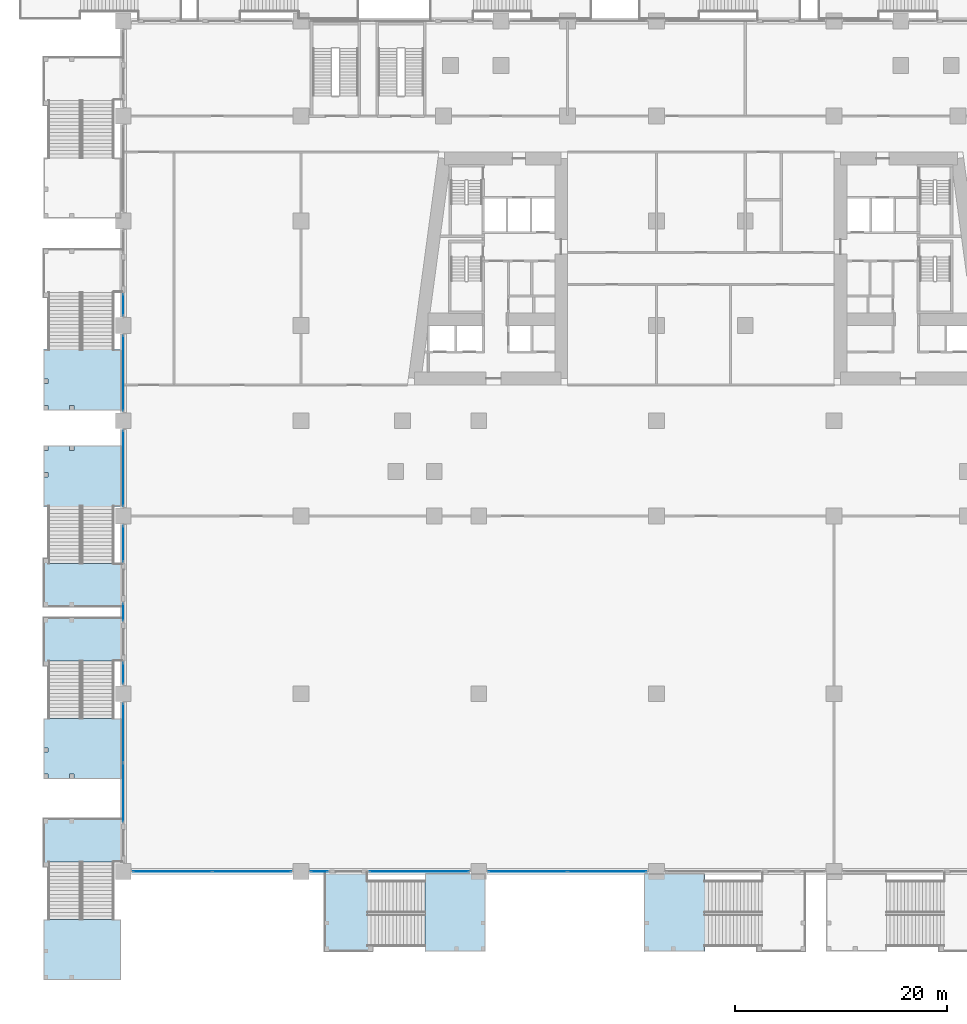
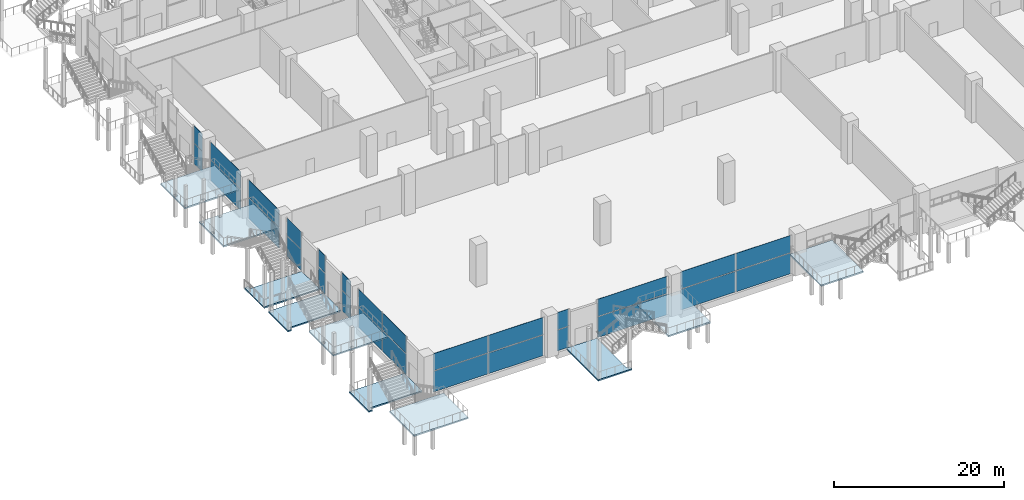
# One storey, part 16 of 49: 28 plates, 10 slabs, 17 elements without a shape of their own.
"""IFC4 building model written with IfcOpenShell, lengths in metres."""

from ifc_helpers import new_model, si_unit, direction, frame, origin, origin_2d, place, context, subcontext, project, spatial, polyline, rectangle, outline, extrude, material, layer, layer_set, type_object, element, aggregate, save


model = new_model("IFC4")

# Units and contexts
model_context = context("Model", 3, precision=1e-05, world=origin(), true_north=direction((0.0, 1.0)))
body_context = subcontext(model_context, "Body", "Model", "MODEL_VIEW")
ifc_project = project(units=[si_unit("LENGTHUNIT", "METRE"), si_unit("AREAUNIT", "SQUARE_METRE"), si_unit("VOLUMEUNIT", "CUBIC_METRE"), si_unit("PLANEANGLEUNIT", "RADIAN"), si_unit("MASSUNIT", "GRAM", prefix="KILO")], contexts=[model_context])

# Site, building, storey
site_placement = place(None, origin())
site = spatial("IfcSite", under=ifc_project, at=site_placement, CompositionType="ELEMENT")
building_placement = place(site_placement, origin())
building = spatial("IfcBuilding", under=site, at=building_placement, Name="Candeia Pilgrim Tower and Theatre", CompositionType="ELEMENT")
storey_placement = place(building_placement, frame((0.0, 0.0, 17.0)))
storey = spatial("IfcBuildingStorey", under=building, at=storey_placement, Name="L02", CompositionType="ELEMENT", Elevation=17.0)

# Curtain wall, plates
ifc_material_1 = material(Name="Aluminium framed podium glazing", Category="aluminium")
curtain_wall_type = type_object("IfcCurtainWallType", Name="CW-P curtain wall", PredefinedType="NOTDEFINED", material=ifc_material_1)
curtain_wall_1_placement = place(storey_placement, origin())
curtain_wall_1 = element("IfcCurtainWall", 1, at=curtain_wall_1_placement, inside=storey, type_object=curtain_wall_type, Name="Curtain wall CW-P L02.000", PredefinedType="NOTDEFINED")
ifc_material_2 = material(Name="Laminated low-iron glass 2 x 8 mm", Category="glass")
ifc_layer_1 = layer(ifc_material_2, 0.035888671875)
ifc_layer_set_1 = layer_set([ifc_layer_1], Name="CW-P glass panel 36")
plate_type = type_object("IfcPlateType", Name="CW-P glass panel 36", PredefinedType="CURTAIN_PANEL", material=ifc_layer_set_1)
plate_1_placement = place(storey_placement, frame((58.800048828125, 71.862548828125, 0.0), z_axis=(0.0, 0.0, 1.0), x_axis=(0.0, 1.0, 0.0)))
plate_1 = element("IfcPlate", 2, at=plate_1_placement, type_object=plate_type, Name="CW-P panel 1.1", PredefinedType="CURTAIN_PANEL", context=body_context, shape_type="SweptSolid", body=[
    extrude(rectangle(XDim=5.544921875, YDim=0.035888671875, at=origin_2d()), origin(), (0.0, 0.0, 1.0), 2.9599609375),
])
plate_2_placement = place(storey_placement, frame((58.800048828125, 71.862548828125, 3.0400390625), z_axis=(0.0, 0.0, 1.0), x_axis=(0.0, 1.0, 0.0)))
plate_2 = element("IfcPlate", 3, at=plate_2_placement, type_object=plate_type, Name="CW-P panel 1.2", PredefinedType="CURTAIN_PANEL", context=body_context, shape_type="SweptSolid", body=[
    extrude(rectangle(XDim=5.544921875, YDim=0.035888671875, at=origin_2d()), origin(), (0.0, 0.0, 1.0), 2.4599609375),
])
plate_3_placement = place(storey_placement, frame((58.800048828125, 77.487548828125, 0.0), z_axis=(0.0, 0.0, 1.0), x_axis=(0.0, 1.0, 0.0)))
plate_3 = element("IfcPlate", 4, at=plate_3_placement, type_object=plate_type, Name="CW-P panel 2.1", PredefinedType="CURTAIN_PANEL", context=body_context, shape_type="SweptSolid", body=[
    extrude(rectangle(XDim=5.544921875, YDim=0.035888671875, at=origin_2d()), origin(), (0.0, 0.0, 1.0), 2.9599609375),
])
plate_4_placement = place(storey_placement, frame((58.800048828125, 77.487548828125, 3.0400390625), z_axis=(0.0, 0.0, 1.0), x_axis=(0.0, 1.0, 0.0)))
plate_4 = element("IfcPlate", 5, at=plate_4_placement, type_object=plate_type, Name="CW-P panel 2.2", PredefinedType="CURTAIN_PANEL", context=body_context, shape_type="SweptSolid", body=[
    extrude(rectangle(XDim=5.544921875, YDim=0.035888671875, at=origin_2d()), origin(), (0.0, 0.0, 1.0), 2.4599609375),
])
aggregate(curtain_wall_1, [plate_1, plate_2, plate_3, plate_4])

curtain_wall_2_placement = place(storey_placement, origin())
curtain_wall_2 = element("IfcCurtainWall", 6, at=curtain_wall_2_placement, inside=storey, type_object=curtain_wall_type, Name="Curtain wall CW-P L02.010", PredefinedType="NOTDEFINED")
plate_5_placement = place(storey_placement, frame((58.800048828125, 83.125, 0.0), z_axis=(0.0, 0.0, 1.0), x_axis=(0.0, 1.0, 0.0)))
plate_5 = element("IfcPlate", 7, at=plate_5_placement, type_object=plate_type, Name="CW-P panel 1.1", PredefinedType="CURTAIN_PANEL", context=body_context, shape_type="SweptSolid", body=[
    extrude(rectangle(XDim=1.969970703125, YDim=0.035888671875, at=origin_2d()), origin(), (0.0, 0.0, 1.0), 2.9599609375),
])
plate_6_placement = place(storey_placement, frame((58.800048828125, 83.125, 3.0400390625), z_axis=(0.0, 0.0, 1.0), x_axis=(0.0, 1.0, 0.0)))
plate_6 = element("IfcPlate", 8, at=plate_6_placement, type_object=plate_type, Name="CW-P panel 1.2", PredefinedType="CURTAIN_PANEL", context=body_context, shape_type="SweptSolid", body=[
    extrude(rectangle(XDim=1.969970703125, YDim=0.035888671875, at=origin_2d()), origin(), (0.0, 0.0, 1.0), 2.4599609375),
])
aggregate(curtain_wall_2, [plate_5, plate_6])

curtain_wall_3_placement = place(storey_placement, origin())
curtain_wall_3 = element("IfcCurtainWall", 9, at=curtain_wall_3_placement, inside=storey, type_object=curtain_wall_type, Name="Curtain wall CW-P L02.011", PredefinedType="NOTDEFINED")
plate_7_placement = place(storey_placement, frame((58.800048828125, 88.89990234375, 0.0), z_axis=(0.0, 0.0, 1.0), x_axis=(0.0, 1.0, 0.0)))
plate_7 = element("IfcPlate", 10, at=plate_7_placement, type_object=plate_type, Name="CW-P panel 1.1", PredefinedType="CURTAIN_PANEL", context=body_context, shape_type="SweptSolid", body=[
    extrude(rectangle(XDim=1.6201171875, YDim=0.035888671875, at=origin_2d()), origin(), (0.0, 0.0, 1.0), 2.9599609375),
])
plate_8_placement = place(storey_placement, frame((58.800048828125, 88.89990234375, 3.0400390625), z_axis=(0.0, 0.0, 1.0), x_axis=(0.0, 1.0, 0.0)))
plate_8 = element("IfcPlate", 11, at=plate_8_placement, type_object=plate_type, Name="CW-P panel 1.2", PredefinedType="CURTAIN_PANEL", context=body_context, shape_type="SweptSolid", body=[
    extrude(rectangle(XDim=1.6201171875, YDim=0.035888671875, at=origin_2d()), origin(), (0.0, 0.0, 1.0), 2.4599609375),
])
aggregate(curtain_wall_3, [plate_7, plate_8])

curtain_wall_4_placement = place(storey_placement, origin())
curtain_wall_4 = element("IfcCurtainWall", 12, at=curtain_wall_4_placement, inside=storey, type_object=curtain_wall_type, Name="Curtain wall CW-P L02.012", PredefinedType="NOTDEFINED")
plate_9_placement = place(storey_placement, frame((58.800048828125, 95.375, 0.0), z_axis=(0.0, 0.0, 1.0), x_axis=(0.0, 1.0, 0.0)))
plate_9 = element("IfcPlate", 13, at=plate_9_placement, type_object=plate_type, Name="CW-P panel 1.1", PredefinedType="CURTAIN_PANEL", context=body_context, shape_type="SweptSolid", body=[
    extrude(rectangle(XDim=3.3701171875, YDim=0.035888671875, at=origin_2d()), origin(), (0.0, 0.0, 1.0), 2.9599609375),
])
plate_10_placement = place(storey_placement, frame((58.800048828125, 95.375, 3.0400390625), z_axis=(0.0, 0.0, 1.0), x_axis=(0.0, 1.0, 0.0)))
plate_10 = element("IfcPlate", 14, at=plate_10_placement, type_object=plate_type, Name="CW-P panel 1.2", PredefinedType="CURTAIN_PANEL", context=body_context, shape_type="SweptSolid", body=[
    extrude(rectangle(XDim=3.3701171875, YDim=0.035888671875, at=origin_2d()), origin(), (0.0, 0.0, 1.0), 2.4599609375),
])
aggregate(curtain_wall_4, [plate_9, plate_10])

curtain_wall_5_placement = place(storey_placement, origin())
curtain_wall_5 = element("IfcCurtainWall", 15, at=curtain_wall_5_placement, inside=storey, type_object=curtain_wall_type, Name="Curtain wall CW-P L02.020", PredefinedType="NOTDEFINED")
plate_11_placement = place(storey_placement, frame((58.800048828125, 102.5, 0.0), z_axis=(0.0, 0.0, 1.0), x_axis=(0.0, 1.0, 0.0)))
plate_11 = element("IfcPlate", 16, at=plate_11_placement, type_object=plate_type, Name="CW-P panel 1.1", PredefinedType="CURTAIN_PANEL", context=body_context, shape_type="SweptSolid", body=[
    extrude(rectangle(XDim=7.1201171875, YDim=0.035888671875, at=origin_2d()), origin(), (0.0, 0.0, 1.0), 2.9599609375),
])
plate_12_placement = place(storey_placement, frame((58.800048828125, 102.5, 3.0400390625), z_axis=(0.0, 0.0, 1.0), x_axis=(0.0, 1.0, 0.0)))
plate_12 = element("IfcPlate", 17, at=plate_12_placement, type_object=plate_type, Name="CW-P panel 1.2", PredefinedType="CURTAIN_PANEL", context=body_context, shape_type="SweptSolid", body=[
    extrude(rectangle(XDim=7.1201171875, YDim=0.035888671875, at=origin_2d()), origin(), (0.0, 0.0, 1.0), 2.4599609375),
])
aggregate(curtain_wall_5, [plate_11, plate_12])

curtain_wall_6_placement = place(storey_placement, origin())
curtain_wall_6 = element("IfcCurtainWall", 18, at=curtain_wall_6_placement, inside=storey, type_object=curtain_wall_type, Name="Curtain wall CW-P L02.030", PredefinedType="NOTDEFINED")
plate_13_placement = place(storey_placement, frame((58.800048828125, 111.5, 0.0), z_axis=(0.0, 0.0, 1.0), x_axis=(0.0, 1.0, 0.0)))
plate_13 = element("IfcPlate", 19, at=plate_13_placement, type_object=plate_type, Name="CW-P panel 1.1", PredefinedType="CURTAIN_PANEL", context=body_context, shape_type="SweptSolid", body=[
    extrude(rectangle(XDim=7.1201171875, YDim=0.035888671875, at=origin_2d()), origin(), (0.0, 0.0, 1.0), 2.9599609375),
])
plate_14_placement = place(storey_placement, frame((58.800048828125, 111.5, 3.0400390625), z_axis=(0.0, 0.0, 1.0), x_axis=(0.0, 1.0, 0.0)))
plate_14 = element("IfcPlate", 20, at=plate_14_placement, type_object=plate_type, Name="CW-P panel 1.2", PredefinedType="CURTAIN_PANEL", context=body_context, shape_type="SweptSolid", body=[
    extrude(rectangle(XDim=7.1201171875, YDim=0.035888671875, at=origin_2d()), origin(), (0.0, 0.0, 1.0), 2.4599609375),
])
aggregate(curtain_wall_6, [plate_13, plate_14])

curtain_wall_7_placement = place(storey_placement, origin())
curtain_wall_7 = element("IfcCurtainWall", 21, at=curtain_wall_7_placement, inside=storey, type_object=curtain_wall_type, Name="Curtain wall CW-P L02.040", PredefinedType="NOTDEFINED")
plate_15_placement = place(storey_placement, frame((58.800048828125, 117.949951171875, 0.0), z_axis=(0.0, 0.0, 1.0), x_axis=(0.0, 1.0, 0.0)))
plate_15 = element("IfcPlate", 22, at=plate_15_placement, type_object=plate_type, Name="CW-P panel 1.1", PredefinedType="CURTAIN_PANEL", context=body_context, shape_type="SweptSolid", body=[
    extrude(rectangle(XDim=2.02001953125, YDim=0.035888671875, at=origin_2d()), origin(), (0.0, 0.0, 1.0), 2.9599609375),
])
plate_16_placement = place(storey_placement, frame((58.800048828125, 117.949951171875, 3.0400390625), z_axis=(0.0, 0.0, 1.0), x_axis=(0.0, 1.0, 0.0)))
plate_16 = element("IfcPlate", 23, at=plate_16_placement, type_object=plate_type, Name="CW-P panel 1.2", PredefinedType="CURTAIN_PANEL", context=body_context, shape_type="SweptSolid", body=[
    extrude(rectangle(XDim=2.02001953125, YDim=0.035888671875, at=origin_2d()), origin(), (0.0, 0.0, 1.0), 2.4599609375),
])
aggregate(curtain_wall_7, [plate_15, plate_16])

curtain_wall_8_placement = place(storey_placement, origin())
curtain_wall_8 = element("IfcCurtainWall", 24, at=curtain_wall_8_placement, inside=storey, type_object=curtain_wall_type, Name="Curtain wall CW-P L02.330", PredefinedType="NOTDEFINED")
plate_17_placement = place(storey_placement, frame((104.550048828125, 64.39990234375, 0.0), z_axis=(0.0, 0.0, 1.0), x_axis=(-1.0, 0.0, 0.0)))
plate_17 = element("IfcPlate", 25, at=plate_17_placement, type_object=plate_type, Name="CW-P panel 1.1", PredefinedType="CURTAIN_PANEL", context=body_context, shape_type="SweptSolid", body=[
    extrude(rectangle(XDim=7.419921875, YDim=0.035888671875, at=origin_2d()), origin(), (0.0, 0.0, 1.0), 2.9599609375),
])
plate_18_placement = place(storey_placement, frame((104.550048828125, 64.39990234375, 3.0400390625), z_axis=(0.0, 0.0, 1.0), x_axis=(-1.0, 0.0, 0.0)))
plate_18 = element("IfcPlate", 26, at=plate_18_placement, type_object=plate_type, Name="CW-P panel 1.2", PredefinedType="CURTAIN_PANEL", context=body_context, shape_type="SweptSolid", body=[
    extrude(rectangle(XDim=7.419921875, YDim=0.035888671875, at=origin_2d()), origin(), (0.0, 0.0, 1.0), 2.4599609375),
])
plate_19_placement = place(storey_placement, frame((97.050048828125, 64.39990234375, 0.0), z_axis=(0.0, 0.0, 1.0), x_axis=(-1.0, 0.0, 0.0)))
plate_19 = element("IfcPlate", 27, at=plate_19_placement, type_object=plate_type, Name="CW-P panel 2.1", PredefinedType="CURTAIN_PANEL", context=body_context, shape_type="SweptSolid", body=[
    extrude(rectangle(XDim=7.419921875, YDim=0.035888671875, at=origin_2d()), origin(), (0.0, 0.0, 1.0), 2.9599609375),
])
plate_20_placement = place(storey_placement, frame((97.050048828125, 64.39990234375, 3.0400390625), z_axis=(0.0, 0.0, 1.0), x_axis=(-1.0, 0.0, 0.0)))
plate_20 = element("IfcPlate", 28, at=plate_20_placement, type_object=plate_type, Name="CW-P panel 2.2", PredefinedType="CURTAIN_PANEL", context=body_context, shape_type="SweptSolid", body=[
    extrude(rectangle(XDim=7.419921875, YDim=0.035888671875, at=origin_2d()), origin(), (0.0, 0.0, 1.0), 2.4599609375),
])
aggregate(curtain_wall_8, [plate_17, plate_18, plate_19, plate_20])

curtain_wall_9_placement = place(storey_placement, origin())
curtain_wall_9 = element("IfcCurtainWall", 29, at=curtain_wall_9_placement, inside=storey, type_object=curtain_wall_type, Name="Curtain wall CW-P L02.340", PredefinedType="NOTDEFINED")
plate_21_placement = place(storey_placement, frame((86.77490234375, 64.39990234375, 0.0), z_axis=(0.0, 0.0, 1.0), x_axis=(-1.0, 0.0, 0.0)))
plate_21 = element("IfcPlate", 30, at=plate_21_placement, type_object=plate_type, Name="CW-P panel 1.1", PredefinedType="CURTAIN_PANEL", context=body_context, shape_type="SweptSolid", body=[
    extrude(rectangle(XDim=9.3701171875, YDim=0.035888671875, at=origin_2d()), origin(), (0.0, 0.0, 1.0), 2.9599609375),
])
plate_22_placement = place(storey_placement, frame((86.77490234375, 64.39990234375, 3.0400390625), z_axis=(0.0, 0.0, 1.0), x_axis=(-1.0, 0.0, 0.0)))
plate_22 = element("IfcPlate", 31, at=plate_22_placement, type_object=plate_type, Name="CW-P panel 1.2", PredefinedType="CURTAIN_PANEL", context=body_context, shape_type="SweptSolid", body=[
    extrude(rectangle(XDim=9.3701171875, YDim=0.035888671875, at=origin_2d()), origin(), (0.0, 0.0, 1.0), 2.4599609375),
])
aggregate(curtain_wall_9, [plate_21, plate_22])

curtain_wall_10_placement = place(storey_placement, origin())
curtain_wall_10 = element("IfcCurtainWall", 32, at=curtain_wall_10_placement, inside=storey, type_object=curtain_wall_type, Name="Curtain wall CW-P L02.341", PredefinedType="NOTDEFINED")
plate_23_placement = place(storey_placement, frame((77.324951171875, 64.39990234375, 0.0), z_axis=(0.0, 0.0, 1.0), x_axis=(-1.0, 0.0, 0.0)))
plate_23 = element("IfcPlate", 33, at=plate_23_placement, type_object=plate_type, Name="CW-P panel 1.1", PredefinedType="CURTAIN_PANEL", context=body_context, shape_type="SweptSolid", body=[
    extrude(rectangle(XDim=1.570068359375, YDim=0.035888671875, at=origin_2d()), origin(), (0.0, 0.0, 1.0), 2.9599609375),
])
plate_24_placement = place(storey_placement, frame((77.324951171875, 64.39990234375, 3.0400390625), z_axis=(0.0, 0.0, 1.0), x_axis=(-1.0, 0.0, 0.0)))
plate_24 = element("IfcPlate", 34, at=plate_24_placement, type_object=plate_type, Name="CW-P panel 1.2", PredefinedType="CURTAIN_PANEL", context=body_context, shape_type="SweptSolid", body=[
    extrude(rectangle(XDim=1.570068359375, YDim=0.035888671875, at=origin_2d()), origin(), (0.0, 0.0, 1.0), 2.4599609375),
])
aggregate(curtain_wall_10, [plate_23, plate_24])

curtain_wall_11_placement = place(storey_placement, origin())
curtain_wall_11 = element("IfcCurtainWall", 35, at=curtain_wall_11_placement, inside=storey, type_object=curtain_wall_type, Name="Curtain wall CW-P L02.350", PredefinedType="NOTDEFINED")
plate_25_placement = place(storey_placement, frame((70.949951171875, 64.39990234375, 0.0), z_axis=(0.0, 0.0, 1.0), x_axis=(-1.0, 0.0, 0.0)))
plate_25 = element("IfcPlate", 36, at=plate_25_placement, type_object=plate_type, Name="CW-P panel 1.1", PredefinedType="CURTAIN_PANEL", context=body_context, shape_type="SweptSolid", body=[
    extrude(rectangle(XDim=7.419921875, YDim=0.035888671875, at=origin_2d()), origin(), (0.0, 0.0, 1.0), 2.9599609375),
])
plate_26_placement = place(storey_placement, frame((70.949951171875, 64.39990234375, 3.0400390625), z_axis=(0.0, 0.0, 1.0), x_axis=(-1.0, 0.0, 0.0)))
plate_26 = element("IfcPlate", 37, at=plate_26_placement, type_object=plate_type, Name="CW-P panel 1.2", PredefinedType="CURTAIN_PANEL", context=body_context, shape_type="SweptSolid", body=[
    extrude(rectangle(XDim=7.419921875, YDim=0.035888671875, at=origin_2d()), origin(), (0.0, 0.0, 1.0), 2.4599609375),
])
plate_27_placement = place(storey_placement, frame((63.449951171875, 64.39990234375, 0.0), z_axis=(0.0, 0.0, 1.0), x_axis=(-1.0, 0.0, 0.0)))
plate_27 = element("IfcPlate", 38, at=plate_27_placement, type_object=plate_type, Name="CW-P panel 2.1", PredefinedType="CURTAIN_PANEL", context=body_context, shape_type="SweptSolid", body=[
    extrude(rectangle(XDim=7.419921875, YDim=0.035888671875, at=origin_2d()), origin(), (0.0, 0.0, 1.0), 2.9599609375),
])
plate_28_placement = place(storey_placement, frame((63.449951171875, 64.39990234375, 3.0400390625), z_axis=(0.0, 0.0, 1.0), x_axis=(-1.0, 0.0, 0.0)))
plate_28 = element("IfcPlate", 39, at=plate_28_placement, type_object=plate_type, Name="CW-P panel 2.2", PredefinedType="CURTAIN_PANEL", context=body_context, shape_type="SweptSolid", body=[
    extrude(rectangle(XDim=7.419921875, YDim=0.035888671875, at=origin_2d()), origin(), (0.0, 0.0, 1.0), 2.4599609375),
])
aggregate(curtain_wall_11, [plate_25, plate_26, plate_27, plate_28])

# Slab
ifc_material_3 = material(Name="Concrete C40/50", Category="concrete")
ifc_layer_2 = layer(ifc_material_3, 0.199951171875)
ifc_layer_set_2 = layer_set([ifc_layer_2], Name="SL-EXT stair landing")
slab_type = type_object("IfcSlabType", Name="SL-EXT stair landing", PredefinedType="LANDING", material=ifc_layer_set_2)
slab_1_placement = place(storey_placement, frame((0.0, 0.0, -0.199951171875)))
element("IfcSlab", 40, at=slab_1_placement, inside=storey, type_object=slab_type, Name="L02 External escape stair ES8 floor landing", PredefinedType="LANDING", context=body_context, shape_type="SweptSolid", body=[
    extrude(outline(polyline([(77.800048828125, 64.35009765625), (81.919921875, 64.35009765625), (81.919921875, 57.35009765625), (82.39990234375, 57.35009765625), (82.39990234375, 56.85009765625), (77.800048828125, 56.85009765625), (77.800048828125, 64.35009765625)])), origin(), (0.0, 0.0, 1.0), 0.199951171875),
])

# Stair, slab
stair_type = type_object("IfcStairType", Name="ST-EXT external escape stair", PredefinedType="HALF_TURN_STAIR", material=ifc_material_3)
stair_1_placement = place(storey_placement, origin())
stair_1 = element("IfcStair", 41, at=stair_1_placement, inside=storey, type_object=stair_type, Name="L02 External escape stair ES8", PredefinedType="HALF_TURN_STAIR")
slab_2_placement = place(storey_placement, frame((0.0, 0.0, 2.800048828125)))
slab_2 = element("IfcSlab", 42, at=slab_2_placement, type_object=slab_type, Name="L02 External escape stair ES8 landing", PredefinedType="LANDING", context=body_context, shape_type="SweptSolid", body=[
    extrude(outline(polyline([(87.320068359375, 64.199951171875), (93.06005859375, 64.199951171875), (93.06005859375, 56.85009765625), (87.320068359375, 56.85009765625), (87.320068359375, 64.199951171875)])), origin(), (0.0, 0.0, 1.0), 0.199951171875),
])
aggregate(stair_1, [slab_2])

stair_2_placement = place(storey_placement, origin())
stair_2 = element("IfcStair", 43, at=stair_2_placement, inside=storey, type_object=stair_type, Name="L02 External escape stair ES9", PredefinedType="HALF_TURN_STAIR")
slab_3_placement = place(storey_placement, frame((0.0, 0.0, 2.800048828125)))
slab_3 = element("IfcSlab", 44, at=slab_3_placement, type_object=slab_type, Name="L02 External escape stair ES9 landing", PredefinedType="LANDING", context=body_context, shape_type="SweptSolid", body=[
    extrude(outline(polyline([(113.780029296875, 64.199951171875), (108.0400390625, 64.199951171875), (108.0400390625, 56.85009765625), (113.780029296875, 56.85009765625), (113.780029296875, 64.199951171875)])), origin(), (0.0, 0.0, 1.0), 0.199951171875),
])
aggregate(stair_2, [slab_3])

# Slab
slab_4_placement = place(storey_placement, frame((0.0, 0.0, -0.199951171875)))
element("IfcSlab", 45, at=slab_4_placement, inside=storey, type_object=slab_type, Name="L02 External escape stair ES10 floor landing", PredefinedType="LANDING", context=body_context, shape_type="SweptSolid", body=[
    extrude(outline(polyline([(58.75, 69.39990234375), (58.75, 65.280029296875), (51.75, 65.280029296875), (51.75, 64.800048828125), (51.25, 64.800048828125), (51.25, 69.39990234375), (58.75, 69.39990234375)])), origin(), (0.0, 0.0, 1.0), 0.199951171875),
])

# Stair, slab
stair_3_placement = place(storey_placement, origin())
stair_3 = element("IfcStair", 46, at=stair_3_placement, inside=storey, type_object=stair_type, Name="L02 External escape stair ES10", PredefinedType="HALF_TURN_STAIR")
slab_5_placement = place(storey_placement, frame((0.0, 0.0, 2.800048828125)))
slab_5 = element("IfcSlab", 47, at=slab_5_placement, type_object=slab_type, Name="L02 External escape stair ES10 landing", PredefinedType="LANDING", context=body_context, shape_type="SweptSolid", body=[
    extrude(outline(polyline([(58.60009765625, 59.8798828125), (58.60009765625, 54.139892578125), (51.25, 54.139892578125), (51.25, 59.8798828125), (58.60009765625, 59.8798828125)])), origin(), (0.0, 0.0, 1.0), 0.199951171875),
])
aggregate(stair_3, [slab_5])

# Slab
slab_6_placement = place(storey_placement, frame((0.0, 0.0, -0.199951171875)))
element("IfcSlab", 48, at=slab_6_placement, inside=storey, type_object=slab_type, Name="L02 External escape stair ES11 floor landing", PredefinedType="LANDING", context=body_context, shape_type="SweptSolid", body=[
    extrude(outline(polyline([(58.75, 88.39990234375), (58.75, 84.280029296875), (51.75, 84.280029296875), (51.75, 83.800048828125), (51.25, 83.800048828125), (51.25, 88.39990234375), (58.75, 88.39990234375)])), origin(), (0.0, 0.0, 1.0), 0.199951171875),
])

# Stair, slab
stair_4_placement = place(storey_placement, origin())
stair_4 = element("IfcStair", 49, at=stair_4_placement, inside=storey, type_object=stair_type, Name="L02 External escape stair ES11", PredefinedType="HALF_TURN_STAIR")
slab_7_placement = place(storey_placement, frame((0.0, 0.0, 2.800048828125)))
slab_7 = element("IfcSlab", 50, at=slab_7_placement, type_object=slab_type, Name="L02 External escape stair ES11 landing", PredefinedType="LANDING", context=body_context, shape_type="SweptSolid", body=[
    extrude(outline(polyline([(58.60009765625, 78.8798828125), (58.60009765625, 73.139892578125), (51.25, 73.139892578125), (51.25, 78.8798828125), (58.60009765625, 78.8798828125)]), holes=[polyline([(51.300048828125, 75.68994140625), (51.699951171875, 75.68994140625), (51.699951171875, 76.090087890625), (51.300048828125, 76.090087890625), (51.300048828125, 75.68994140625)]), polyline([(51.300048828125, 73.18994140625), (51.699951171875, 73.18994140625), (51.699951171875, 73.590087890625), (51.300048828125, 73.590087890625), (51.300048828125, 73.18994140625)]), polyline([(53.72509765625, 73.18994140625), (54.125, 73.18994140625), (54.125, 73.590087890625), (53.72509765625, 73.590087890625), (53.72509765625, 73.18994140625)])]), origin(), (0.0, 0.0, 1.0), 0.199951171875),
])
aggregate(stair_4, [slab_7])

# Slab
slab_8_placement = place(storey_placement, frame((0.0, 0.0, -0.199951171875)))
element("IfcSlab", 51, at=slab_8_placement, inside=storey, type_object=slab_type, Name="L02 External escape stair ES12 floor landing", PredefinedType="LANDING", context=body_context, shape_type="SweptSolid", body=[
    extrude(outline(polyline([(58.75, 89.39990234375), (58.75, 93.52001953125), (51.75, 93.52001953125), (51.75, 94.0), (51.25, 94.0), (51.25, 89.39990234375), (58.75, 89.39990234375)])), origin(), (0.0, 0.0, 1.0), 0.199951171875),
])

# Stair, slab
stair_5_placement = place(storey_placement, origin())
stair_5 = element("IfcStair", 52, at=stair_5_placement, inside=storey, type_object=stair_type, Name="L02 External escape stair ES12", PredefinedType="HALF_TURN_STAIR")
slab_9_placement = place(storey_placement, frame((0.0, 0.0, 2.800048828125)))
slab_9 = element("IfcSlab", 53, at=slab_9_placement, type_object=slab_type, Name="L02 External escape stair ES12 landing", PredefinedType="LANDING", context=body_context, shape_type="SweptSolid", body=[
    extrude(outline(polyline([(58.60009765625, 98.919921875), (58.60009765625, 104.659912109375), (51.25, 104.659912109375), (51.25, 98.919921875), (58.60009765625, 98.919921875)]), holes=[polyline([(51.300048828125, 101.7099609375), (51.699951171875, 101.7099609375), (51.699951171875, 102.110107421875), (51.300048828125, 102.110107421875), (51.300048828125, 101.7099609375)]), polyline([(51.300048828125, 104.2099609375), (51.699951171875, 104.2099609375), (51.699951171875, 104.610107421875), (51.300048828125, 104.610107421875), (51.300048828125, 104.2099609375)]), polyline([(53.72509765625, 104.2099609375), (54.125, 104.2099609375), (54.125, 104.610107421875), (53.72509765625, 104.610107421875), (53.72509765625, 104.2099609375)])]), origin(), (0.0, 0.0, 1.0), 0.199951171875),
])
aggregate(stair_5, [slab_9])

stair_6_placement = place(storey_placement, origin())
stair_6 = element("IfcStair", 54, at=stair_6_placement, inside=storey, type_object=stair_type, Name="L02 External escape stair ES15", PredefinedType="HALF_TURN_STAIR")
slab_10_placement = place(storey_placement, frame((0.0, 0.0, 2.800048828125)))
slab_10 = element("IfcSlab", 55, at=slab_10_placement, type_object=slab_type, Name="L02 External escape stair ES15 landing", PredefinedType="LANDING", context=body_context, shape_type="SweptSolid", body=[
    extrude(outline(polyline([(58.60009765625, 113.72998046875), (58.60009765625, 107.989990234375), (51.25, 107.989990234375), (51.25, 113.72998046875), (58.60009765625, 113.72998046875)]), holes=[polyline([(51.300048828125, 110.5400390625), (51.699951171875, 110.5400390625), (51.699951171875, 110.93994140625), (51.300048828125, 110.93994140625), (51.300048828125, 110.5400390625)]), polyline([(51.300048828125, 108.0400390625), (51.699951171875, 108.0400390625), (51.699951171875, 108.43994140625), (51.300048828125, 108.43994140625), (51.300048828125, 108.0400390625)]), polyline([(53.72509765625, 108.0400390625), (54.125, 108.0400390625), (54.125, 108.43994140625), (53.72509765625, 108.43994140625), (53.72509765625, 108.0400390625)])]), origin(), (0.0, 0.0, 1.0), 0.199951171875),
])
aggregate(stair_6, [slab_10])

save(model, "model.ifc")
